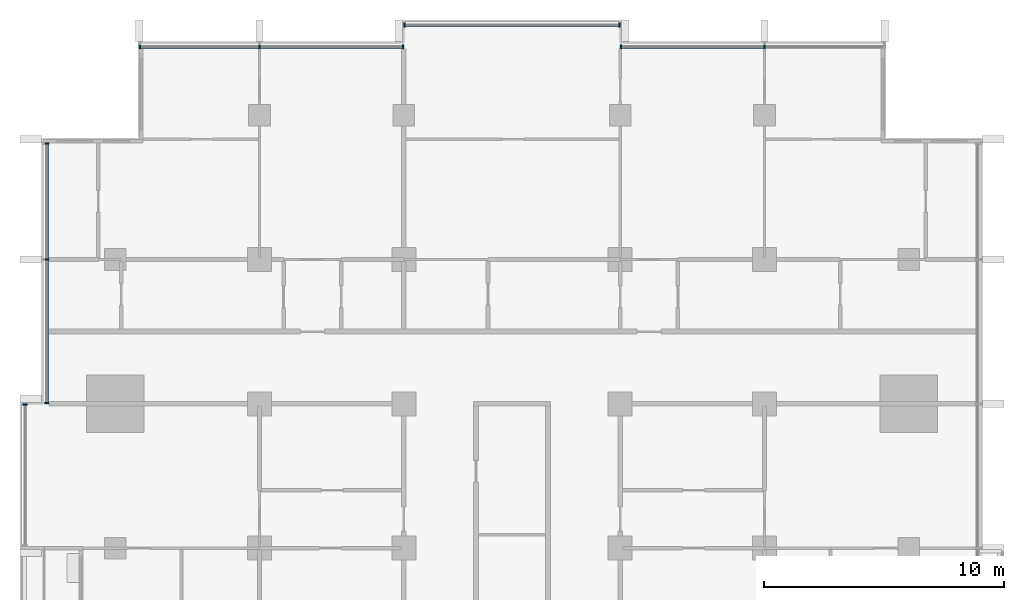
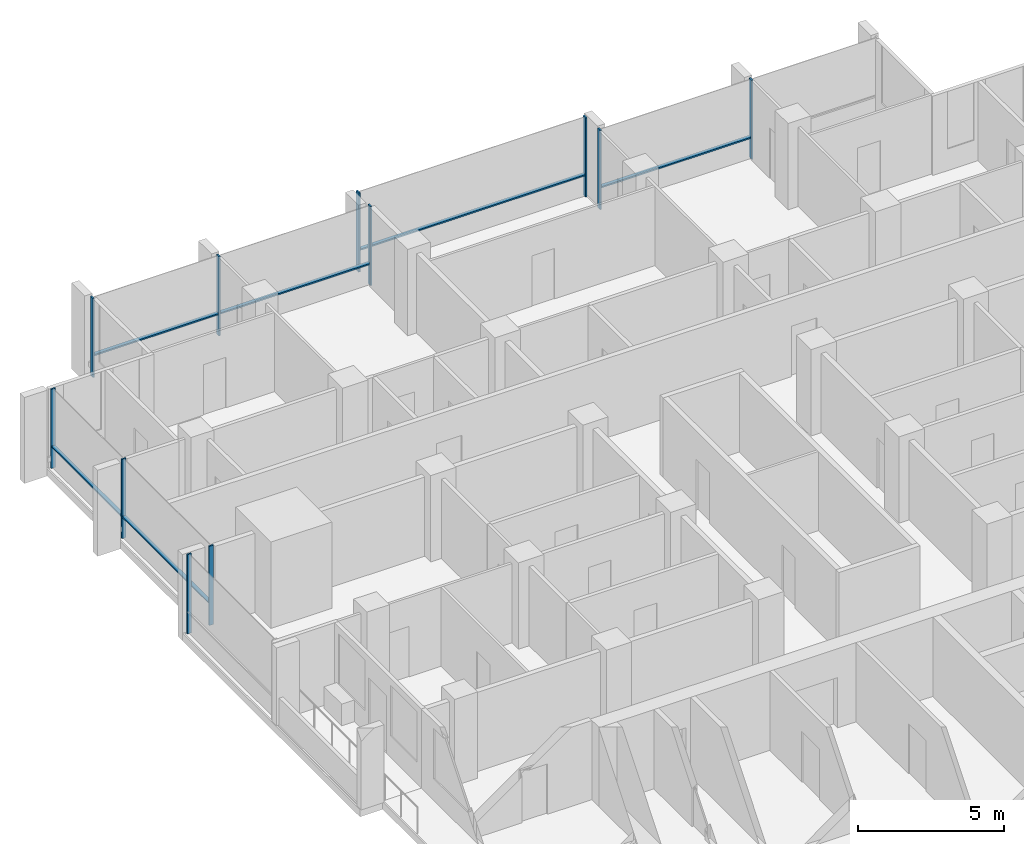
# One storey, part 4 of 17: 17 members, 5 elements without a shape of their own.
"""IFC4 building model written with IfcOpenShell, lengths in metres."""

from ifc_helpers import new_model, si_unit, direction, frame, origin, origin_2d, place, context, subcontext, project, spatial, rectangle, extrude, material, material_profile, profile_set, type_object, element, aggregate, save


model = new_model("IFC4")

# Units and contexts
model_context = context("Model", 3, precision=1e-05, world=origin(), true_north=direction((0.0, 1.0)))
body_context = subcontext(model_context, "Body", "Model", "MODEL_VIEW")
ifc_project = project(units=[si_unit("LENGTHUNIT", "METRE"), si_unit("AREAUNIT", "SQUARE_METRE"), si_unit("VOLUMEUNIT", "CUBIC_METRE"), si_unit("PLANEANGLEUNIT", "RADIAN"), si_unit("MASSUNIT", "GRAM", prefix="KILO")], contexts=[model_context])

# Site, building, storey
site_placement = place(None, origin())
site = spatial("IfcSite", under=ifc_project, at=site_placement, CompositionType="ELEMENT")
building_placement = place(site_placement, origin())
building = spatial("IfcBuilding", under=site, at=building_placement, Name="Finial Court Residences", CompositionType="ELEMENT")
storey_placement = place(building_placement, frame((0.0, 0.0, 174.5)))
storey = spatial("IfcBuildingStorey", under=building, at=storey_placement, Name="L43", CompositionType="ELEMENT", Elevation=174.5)

# Curtain wall, members
ifc_material = material(Name="Bronze anodised aluminium", Category="aluminium")
curtain_wall_type = type_object("IfcCurtainWallType", Name="Unitised curtain wall, upper zones", PredefinedType="NOTDEFINED", material=ifc_material)
curtain_wall_1_placement = place(storey_placement, origin())
curtain_wall_1 = element("IfcCurtainWall", 1, at=curtain_wall_1_placement, inside=storey, type_object=curtain_wall_type, Name="E-L43-CW-N1", PredefinedType="NOTDEFINED")
ifc_material_profile_1 = material_profile(ifc_material, rectangle(XDim=0.175048828125, YDim=0.06005859375, at=origin_2d()), Name="CW2 mullion 60 x 175")
ifc_profile_set_1 = profile_set([ifc_material_profile_1], Name="Bronze anodised aluminium")
member_type_1 = type_object("IfcMemberType", Name="CW2 mullion 60 x 175", PredefinedType="MULLION", material=ifc_profile_set_1)
member_1_placement = place(storey_placement, frame((-15.469970703125, 22.35009765625, 0.0), z_axis=(0.0, 0.0, 1.0), x_axis=(0.0, 1.0, 0.0)))
member_1 = element("IfcMember", 2, at=member_1_placement, type_object=member_type_1, Name="CW2 mullion 1", PredefinedType="MULLION", context=body_context, shape_type="SweptSolid", body=[
    extrude(rectangle(XDim=0.175048828125, YDim=0.06005859375, at=origin_2d()), origin(), (0.0, 0.0, 1.0), 3.300048828125),
])
member_2_placement = place(storey_placement, frame((-10.5, 22.35009765625, 0.0), z_axis=(0.0, 0.0, 1.0), x_axis=(0.0, 1.0, 0.0)))
member_2 = element("IfcMember", 3, at=member_2_placement, type_object=member_type_1, Name="CW2 mullion 2", PredefinedType="MULLION", context=body_context, shape_type="SweptSolid", body=[
    extrude(rectangle(XDim=0.175048828125, YDim=0.06005859375, at=origin_2d()), origin(), (0.0, 0.0, 1.0), 3.300048828125),
])
member_3_placement = place(storey_placement, frame((-4.530029296875, 22.35009765625, 0.0), z_axis=(0.0, 0.0, 1.0), x_axis=(0.0, 1.0, 0.0)))
member_3 = element("IfcMember", 4, at=member_3_placement, type_object=member_type_1, Name="CW2 mullion 3", PredefinedType="MULLION", context=body_context, shape_type="SweptSolid", body=[
    extrude(rectangle(XDim=0.175048828125, YDim=0.06005859375, at=origin_2d()), origin(), (0.0, 0.0, 1.0), 3.300048828125),
])

curtain_wall_2_placement = place(storey_placement, origin())
curtain_wall_2 = element("IfcCurtainWall", 5, at=curtain_wall_2_placement, inside=storey, type_object=curtain_wall_type, Name="E-L43-CW-N2", PredefinedType="NOTDEFINED")
member_4_placement = place(storey_placement, frame((-4.469970703125, 23.25, 0.0), z_axis=(0.0, 0.0, 1.0), x_axis=(0.0, 1.0, 0.0)))
member_4 = element("IfcMember", 6, at=member_4_placement, type_object=member_type_1, Name="CW2 mullion 1", PredefinedType="MULLION", context=body_context, shape_type="SweptSolid", body=[
    extrude(rectangle(XDim=0.175048828125, YDim=0.06005859375, at=origin_2d()), origin(), (0.0, 0.0, 1.0), 3.300048828125),
])
member_5_placement = place(storey_placement, frame((4.469970703125, 23.25, 0.0), z_axis=(0.0, 0.0, 1.0), x_axis=(0.0, 1.0, 0.0)))
member_5 = element("IfcMember", 7, at=member_5_placement, type_object=member_type_1, Name="CW2 mullion 2", PredefinedType="MULLION", context=body_context, shape_type="SweptSolid", body=[
    extrude(rectangle(XDim=0.175048828125, YDim=0.06005859375, at=origin_2d()), origin(), (0.0, 0.0, 1.0), 3.300048828125),
])

curtain_wall_3_placement = place(storey_placement, origin())
curtain_wall_3 = element("IfcCurtainWall", 8, at=curtain_wall_3_placement, inside=storey, type_object=curtain_wall_type, Name="E-L43-CW-N3", PredefinedType="NOTDEFINED")
member_6_placement = place(storey_placement, frame((4.530029296875, 22.35009765625, 0.0), z_axis=(0.0, 0.0, 1.0), x_axis=(0.0, 1.0, 0.0)))
member_6 = element("IfcMember", 9, at=member_6_placement, type_object=member_type_1, Name="CW2 mullion 1", PredefinedType="MULLION", context=body_context, shape_type="SweptSolid", body=[
    extrude(rectangle(XDim=0.175048828125, YDim=0.06005859375, at=origin_2d()), origin(), (0.0, 0.0, 1.0), 3.300048828125),
])
member_7_placement = place(storey_placement, frame((10.5, 22.35009765625, 0.0), z_axis=(0.0, 0.0, 1.0), x_axis=(0.0, 1.0, 0.0)))
member_7 = element("IfcMember", 10, at=member_7_placement, type_object=member_type_1, Name="CW2 mullion 2", PredefinedType="MULLION", context=body_context, shape_type="SweptSolid", body=[
    extrude(rectangle(XDim=0.175048828125, YDim=0.06005859375, at=origin_2d()), origin(), (0.0, 0.0, 1.0), 3.300048828125),
])

# Curtain wall, member
curtain_wall_4_placement = place(storey_placement, origin())
curtain_wall_4 = element("IfcCurtainWall", 11, at=curtain_wall_4_placement, inside=storey, type_object=curtain_wall_type, Name="E-L43-CW-W10", PredefinedType="NOTDEFINED")
member_8_placement = place(storey_placement, frame((-20.25, 7.469970703125, 0.0), z_axis=(0.0, 0.0, 1.0), x_axis=(-1.0, 0.0, 0.0)))
member_8 = element("IfcMember", 12, at=member_8_placement, type_object=member_type_1, Name="CW2 mullion 2", PredefinedType="MULLION", context=body_context, shape_type="SweptSolid", body=[
    extrude(rectangle(XDim=0.175048828125, YDim=0.06005859375, at=origin_2d()), origin(), (0.0, 0.0, 1.0), 3.300048828125),
])
aggregate(curtain_wall_4, [member_8])

# Curtain wall, members
curtain_wall_5_placement = place(storey_placement, origin())
curtain_wall_5 = element("IfcCurtainWall", 13, at=curtain_wall_5_placement, inside=storey, type_object=curtain_wall_type, Name="E-L43-CW-W11", PredefinedType="NOTDEFINED")
member_9_placement = place(storey_placement, frame((-19.35009765625, 7.530029296875, 0.0), z_axis=(0.0, 0.0, 1.0), x_axis=(-1.0, 0.0, 0.0)))
member_9 = element("IfcMember", 14, at=member_9_placement, type_object=member_type_1, Name="CW2 mullion 1", PredefinedType="MULLION", context=body_context, shape_type="SweptSolid", body=[
    extrude(rectangle(XDim=0.175048828125, YDim=0.06005859375, at=origin_2d()), origin(), (0.0, 0.0, 1.0), 3.300048828125),
])
member_10_placement = place(storey_placement, frame((-19.35009765625, 13.5, 0.0), z_axis=(0.0, 0.0, 1.0), x_axis=(-1.0, 0.0, 0.0)))
member_10 = element("IfcMember", 15, at=member_10_placement, type_object=member_type_1, Name="CW2 mullion 2", PredefinedType="MULLION", context=body_context, shape_type="SweptSolid", body=[
    extrude(rectangle(XDim=0.175048828125, YDim=0.06005859375, at=origin_2d()), origin(), (0.0, 0.0, 1.0), 3.300048828125),
])
member_11_placement = place(storey_placement, frame((-19.35009765625, 18.320068359375, 0.0), z_axis=(0.0, 0.0, 1.0), x_axis=(-1.0, 0.0, 0.0)))
member_11 = element("IfcMember", 16, at=member_11_placement, type_object=member_type_1, Name="CW2 mullion 3", PredefinedType="MULLION", context=body_context, shape_type="SweptSolid", body=[
    extrude(rectangle(XDim=0.175048828125, YDim=0.06005859375, at=origin_2d()), origin(), (0.0, 0.0, 1.0), 3.300048828125),
])

# Member
ifc_material_profile_2 = material_profile(ifc_material, rectangle(XDim=0.139892578125, YDim=0.06005859375, at=origin_2d()), Name="CW2 transom 60 x 140")
ifc_profile_set_2 = profile_set([ifc_material_profile_2], Name="Bronze anodised aluminium")
member_type_2 = type_object("IfcMemberType", Name="CW2 transom 60 x 140", PredefinedType="USERDEFINED", material=ifc_profile_set_2)
member_12_placement = place(storey_placement, frame((-15.43994140625, 22.35009765625, 0.89990234375), z_axis=(1.0, 0.0, 0.0), x_axis=(0.0, 1.0, 0.0)))
member_12 = element("IfcMember", 17, at=member_12_placement, type_object=member_type_2, Name="CW2 transom 1.1", ObjectType="TRANSOM", PredefinedType="USERDEFINED", context=body_context, shape_type="SweptSolid", body=[
    extrude(rectangle(XDim=0.139892578125, YDim=0.06005859375, at=origin_2d()), origin(), (0.0, 0.0, 1.0), 4.909912109375),
])

member_13_placement = place(storey_placement, frame((-10.469970703125, 22.35009765625, 0.89990234375), z_axis=(1.0, 0.0, 0.0), x_axis=(0.0, 1.0, 0.0)))
member_13 = element("IfcMember", 18, at=member_13_placement, type_object=member_type_2, Name="CW2 transom 2.1", ObjectType="TRANSOM", PredefinedType="USERDEFINED", context=body_context, shape_type="SweptSolid", body=[
    extrude(rectangle(XDim=0.139892578125, YDim=0.06005859375, at=origin_2d()), origin(), (0.0, 0.0, 1.0), 5.909912109375),
])

aggregate(curtain_wall_1, [member_1, member_2, member_3, member_12, member_13])

member_14_placement = place(storey_placement, frame((-4.43994140625, 23.25, 0.89990234375), z_axis=(1.0, 0.0, 0.0), x_axis=(0.0, 1.0, 0.0)))
member_14 = element("IfcMember", 19, at=member_14_placement, type_object=member_type_2, Name="CW2 transom 1.1", ObjectType="TRANSOM", PredefinedType="USERDEFINED", context=body_context, shape_type="SweptSolid", body=[
    extrude(rectangle(XDim=0.139892578125, YDim=0.06005859375, at=origin_2d()), origin(), (0.0, 0.0, 1.0), 8.8798828125),
])

aggregate(curtain_wall_2, [member_4, member_5, member_14])

member_15_placement = place(storey_placement, frame((4.56005859375, 22.35009765625, 0.89990234375), z_axis=(1.0, 0.0, 0.0), x_axis=(0.0, 1.0, 0.0)))
member_15 = element("IfcMember", 20, at=member_15_placement, type_object=member_type_2, Name="CW2 transom 1.1", ObjectType="TRANSOM", PredefinedType="USERDEFINED", context=body_context, shape_type="SweptSolid", body=[
    extrude(rectangle(XDim=0.139892578125, YDim=0.06005859375, at=origin_2d()), origin(), (0.0, 0.0, 1.0), 5.909912109375),
])

aggregate(curtain_wall_3, [member_6, member_7, member_15])

member_16_placement = place(storey_placement, frame((-19.35009765625, 7.56005859375, 0.89990234375), z_axis=(0.0, 1.0, 0.0), x_axis=(-1.0, 0.0, 0.0)))
member_16 = element("IfcMember", 21, at=member_16_placement, type_object=member_type_2, Name="CW2 transom 1.1", ObjectType="TRANSOM", PredefinedType="USERDEFINED", context=body_context, shape_type="SweptSolid", body=[
    extrude(rectangle(XDim=0.139892578125, YDim=0.06005859375, at=origin_2d()), origin(), (0.0, 0.0, 1.0), 5.909912109375),
])

member_17_placement = place(storey_placement, frame((-19.35009765625, 13.530029296875, 0.89990234375), z_axis=(0.0, 1.0, 0.0), x_axis=(-1.0, 0.0, 0.0)))
member_17 = element("IfcMember", 22, at=member_17_placement, type_object=member_type_2, Name="CW2 transom 2.1", ObjectType="TRANSOM", PredefinedType="USERDEFINED", context=body_context, shape_type="SweptSolid", body=[
    extrude(rectangle(XDim=0.139892578125, YDim=0.06005859375, at=origin_2d()), origin(), (0.0, 0.0, 1.0), 4.760009765625),
])

aggregate(curtain_wall_5, [member_9, member_10, member_11, member_16, member_17])

save(model, "model.ifc")
